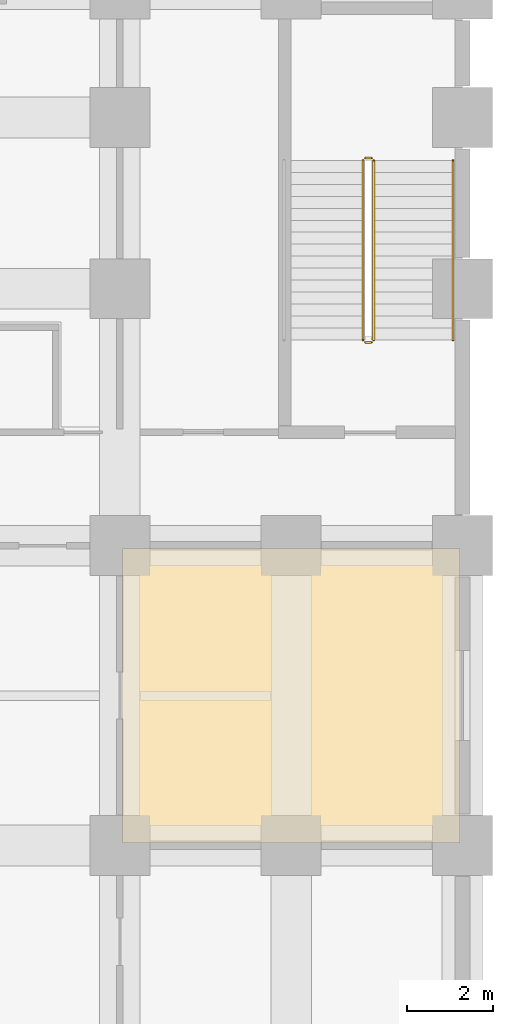
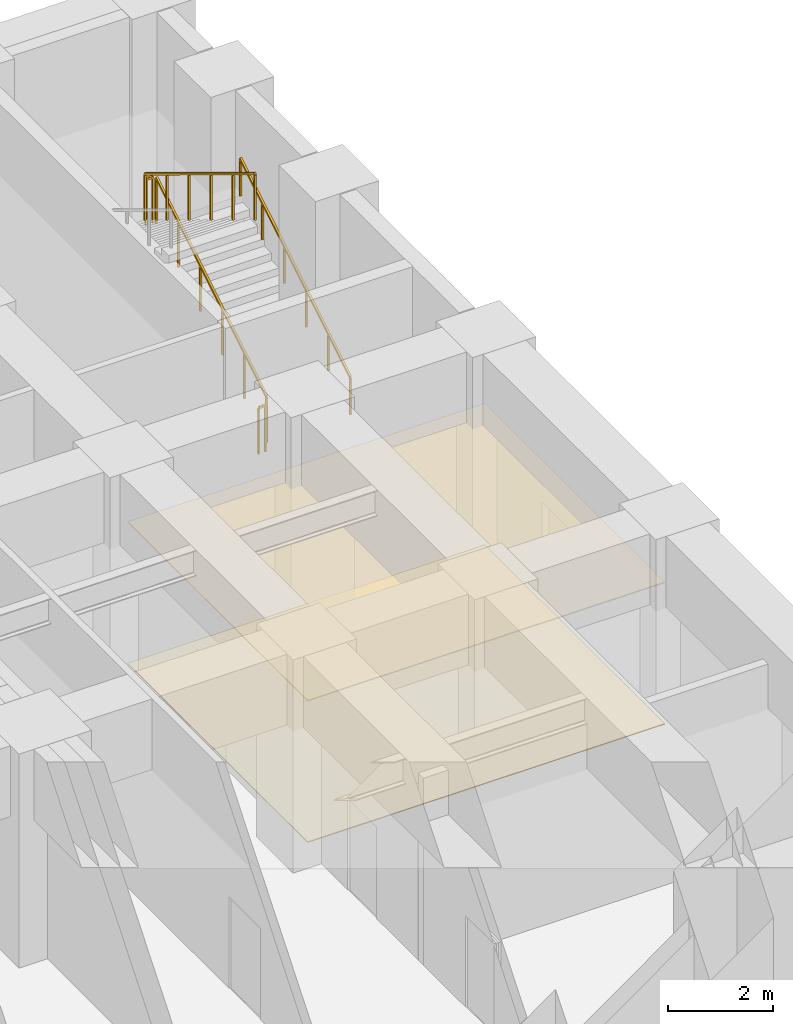
# One storey, part 24 of 24: 5 railings, 2 coverings.
"""IFC4 building model written with IfcOpenShell, lengths in metres."""

from ifc_helpers import new_model, si_unit, direction, frame, origin, origin_2d, place, context, subcontext, project, spatial, polyline, rectangle, outline, extrude, material, layer, layer_set, type_object, element, save


model = new_model("IFC4")

# Units and contexts
model_context = context("Model", 3, precision=1e-05, world=origin(), true_north=direction((0.0, 1.0)))
body_context = subcontext(model_context, "Body", "Model", "MODEL_VIEW")
ifc_project = project(units=[si_unit("LENGTHUNIT", "METRE"), si_unit("AREAUNIT", "SQUARE_METRE"), si_unit("VOLUMEUNIT", "CUBIC_METRE"), si_unit("PLANEANGLEUNIT", "RADIAN"), si_unit("MASSUNIT", "GRAM", prefix="KILO")], contexts=[model_context])

# Site, building, storey
site_placement = place(None, origin())
site = spatial("IfcSite", under=ifc_project, at=site_placement, CompositionType="ELEMENT")
building_placement = place(site_placement, origin())
building = spatial("IfcBuilding", under=site, at=building_placement, Name="Zulmaris Gate Convention Tower", CompositionType="ELEMENT")
storey_placement = place(building_placement, frame((0.0, 0.0, 16.320068359375)))
storey = spatial("IfcBuildingStorey", under=building, at=storey_placement, Name="L03", CompositionType="ELEMENT", Elevation=16.320068359375)

# Coverings
ifc_material_1 = material(Name="Mineral Fibre Acoustic Ceiling Tile")
ifc_layer_1 = layer(ifc_material_1, 0.02001953125, Name="Mineral Fibre Acoustic Ceiling Tile")
ifc_layer_set_1 = layer_set([ifc_layer_1], Name="Mineral Fibre Acoustic Ceiling Tile")
covering_type_1 = type_object("IfcCoveringType", Name="CLG-ACOUSTIC-600", PredefinedType="CEILING", material=ifc_layer_set_1)
covering_1_placement = place(storey_placement, frame((0.0, 0.0, 3.300048828125)))
element("IfcCovering", 1, at=covering_1_placement, inside=storey, type_object=covering_type_1, Name="CLG-L03-R80", PredefinedType="CEILING", context=body_context, shape_type="SweptSolid", body=[
    extrude(outline(polyline([(26.06005859375, 9.06005859375), (33.93994140625, 9.06005859375), (33.93994140625, 15.93994140625), (26.06005859375, 15.93994140625), (26.06005859375, 9.06005859375)])), origin(), (0.0, 0.0, 1.0), 0.019775390625),
])
ifc_material_2 = material(Name="Engineered Teak Parquet Flooring")
ifc_layer_2 = layer(ifc_material_2, 0.02001953125, Name="Engineered Teak Parquet Flooring")
ifc_layer_set_2 = layer_set([ifc_layer_2], Name="Engineered Teak Parquet Flooring")
covering_type_2 = type_object("IfcCoveringType", Name="FLR-TIMBER-18", PredefinedType="FLOORING", material=ifc_layer_set_2)
covering_2_placement = place(storey_placement, origin())
element("IfcCovering", 2, at=covering_2_placement, inside=storey, type_object=covering_type_2, Name="FLR-L03-R80", PredefinedType="FLOORING", context=body_context, shape_type="SweptSolid", body=[
    extrude(outline(polyline([(26.06005859375, 9.06005859375), (33.93994140625, 9.06005859375), (33.93994140625, 15.93994140625), (26.06005859375, 15.93994140625), (26.06005859375, 9.06005859375)])), origin(), (0.0, 0.0, 1.0), 0.02001953125),
])

# Railings
ifc_material_3 = material(Name="Painted Galvanised Steel", Category="steel")
railing_type_1 = type_object("IfcRailingType", Name="RL-STG-1150", PredefinedType="GUARDRAIL", material=ifc_material_3)
railing_1_placement = place(storey_placement, frame((31.929931640625, 20.800048828125, 0.169921875)))
element("IfcRailing", 3, at=railing_1_placement, inside=storey, type_object=railing_type_1, Name="L03 ST-5 stair guard 1", PredefinedType="GUARDRAIL", context=body_context, shape_type="SweptSolid", body=[
    extrude(rectangle(XDim=0.048095703125, YDim=0.048095703125, at=origin_2d()), frame((0.0, 0.0, 1.076171875), z_axis=(0.0, 0.854780430106, 0.518989803665), x_axis=(-1.0, 0.0, 0.0)), (0.0, 0.0, 1.0), 4.91357421875),
    extrude(rectangle(XDim=0.0419921875, YDim=0.0419921875, at=origin_2d()), origin(), (0.0, 0.0, 1.0), 1.052001953125),
    extrude(rectangle(XDim=0.0419921875, YDim=0.0419921875, at=origin_2d()), frame((0.0, 0.840087890625, 0.510009765625)), (0.0, 0.0, 1.0), 1.052001953125),
    extrude(rectangle(XDim=0.0419921875, YDim=0.0419921875, at=origin_2d()), frame((0.0, 1.679931640625, 1.02001953125)), (0.0, 0.0, 1.0), 1.052001953125),
    extrude(rectangle(XDim=0.0419921875, YDim=0.0419921875, at=origin_2d()), frame((0.0, 2.52001953125, 1.530029296875)), (0.0, 0.0, 1.0), 1.052001953125),
    extrude(rectangle(XDim=0.0419921875, YDim=0.0419921875, at=origin_2d()), frame((0.0, 3.35986328125, 2.0400390625)), (0.0, 0.0, 1.0), 1.052001953125),
    extrude(rectangle(XDim=0.0419921875, YDim=0.0419921875, at=origin_2d()), frame((0.0, 4.199951171875, 2.550048828125)), (0.0, 0.0, 1.0), 1.052001953125),
])
railing_2_placement = place(storey_placement, frame((31.8798828125, 25.050048828125, 2.719970703125)))
element("IfcRailing", 4, at=railing_2_placement, inside=storey, type_object=railing_type_1, Name="L03 ST-5 stair guard 2", PredefinedType="GUARDRAIL", context=body_context, shape_type="SweptSolid", body=[
    extrude(rectangle(XDim=0.048095703125, YDim=0.048095703125, at=origin_2d()), frame((0.0, 0.0, 1.076171875), z_axis=(-1.0, 0.0, 0.0), x_axis=(0.0, -1.0, 0.0)), (0.0, 0.0, 1.0), 0.14990234375),
    extrude(rectangle(XDim=0.0419921875, YDim=0.0419921875, at=origin_2d()), origin(), (0.0, 0.0, 1.0), 1.052001953125),
    extrude(rectangle(XDim=0.0419921875, YDim=0.0419921875, at=origin_2d()), frame((-0.14990234375, 0.0, 0.0)), (0.0, 0.0, 1.0), 1.052001953125),
])
railing_3_placement = place(storey_placement, frame((31.679931640625, 25.0, 2.889892578125)))
element("IfcRailing", 5, at=railing_3_placement, inside=storey, type_object=railing_type_1, Name="L03 ST-5 stair guard 3", PredefinedType="GUARDRAIL", context=body_context, shape_type="SweptSolid", body=[
    extrude(rectangle(XDim=0.048095703125, YDim=0.048095703125, at=origin_2d()), frame((0.0, 0.0, 1.076171875), z_axis=(0.0, -0.854780430106, 0.518989803665), x_axis=(1.0, 0.0, 0.0)), (0.0, 0.0, 1.0), 4.91357421875),
    extrude(rectangle(XDim=0.0419921875, YDim=0.0419921875, at=origin_2d()), origin(), (0.0, 0.0, 1.0), 1.052001953125),
    extrude(rectangle(XDim=0.0419921875, YDim=0.0419921875, at=origin_2d()), frame((0.0, -0.840087890625, 0.510009765625)), (0.0, 0.0, 1.0), 1.052001953125),
    extrude(rectangle(XDim=0.0419921875, YDim=0.0419921875, at=origin_2d()), frame((0.0, -1.679931640625, 1.02001953125)), (0.0, 0.0, 1.0), 1.052001953125),
    extrude(rectangle(XDim=0.0419921875, YDim=0.0419921875, at=origin_2d()), frame((0.0, -2.52001953125, 1.530029296875)), (0.0, 0.0, 1.0), 1.052001953125),
    extrude(rectangle(XDim=0.0419921875, YDim=0.0419921875, at=origin_2d()), frame((0.0, -3.35986328125, 2.0400390625)), (0.0, 0.0, 1.0), 1.052001953125),
    extrude(rectangle(XDim=0.0419921875, YDim=0.0419921875, at=origin_2d()), frame((0.0, -4.199951171875, 2.550048828125)), (0.0, 0.0, 1.0), 1.052001953125),
])
railing_4_placement = place(storey_placement, frame((31.8798828125, 20.75, 0.0)))
element("IfcRailing", 6, at=railing_4_placement, inside=storey, type_object=railing_type_1, Name="L03 ST-5 stair guard 4", PredefinedType="GUARDRAIL", context=body_context, shape_type="SweptSolid", body=[
    extrude(rectangle(XDim=0.048095703125, YDim=0.048095703125, at=origin_2d()), frame((0.0, 0.0, 1.076171875), z_axis=(-1.0, 0.0, 0.0), x_axis=(0.0, -1.0, 0.0)), (0.0, 0.0, 1.0), 0.14990234375),
    extrude(rectangle(XDim=0.0419921875, YDim=0.0419921875, at=origin_2d()), origin(), (0.0, 0.0, 1.0), 1.052001953125),
    extrude(rectangle(XDim=0.0419921875, YDim=0.0419921875, at=origin_2d()), frame((-0.14990234375, 0.0, 0.0)), (0.0, 0.0, 1.0), 1.052001953125),
])
ifc_material_4 = material(Name="Brushed Stainless Steel", Category="steel")
railing_type_2 = type_object("IfcRailingType", Name="RL-STH-900", PredefinedType="HANDRAIL", material=ifc_material_4)
railing_5_placement = place(storey_placement, frame((33.780029296875, 20.800048828125, 0.169921875)))
element("IfcRailing", 7, at=railing_5_placement, inside=storey, type_object=railing_type_2, Name="L03 ST-5 stair handrail 1", PredefinedType="HANDRAIL", context=body_context, shape_type="SweptSolid", body=[
    extrude(rectangle(XDim=0.048095703125, YDim=0.048095703125, at=origin_2d()), frame((0.0, 0.0, 0.8759765625), z_axis=(0.0, 0.854780430106, 0.518989803665), x_axis=(-1.0, 0.0, 0.0)), (0.0, 0.0, 1.0), 4.91357421875),
    extrude(rectangle(XDim=0.0419921875, YDim=0.0419921875, at=origin_2d()), origin(), (0.0, 0.0, 1.0), 0.851806640625),
    extrude(rectangle(XDim=0.0419921875, YDim=0.0419921875, at=origin_2d()), frame((0.0, 0.840087890625, 0.510009765625)), (0.0, 0.0, 1.0), 0.851806640625),
    extrude(rectangle(XDim=0.0419921875, YDim=0.0419921875, at=origin_2d()), frame((0.0, 1.679931640625, 1.02001953125)), (0.0, 0.0, 1.0), 0.851806640625),
    extrude(rectangle(XDim=0.0419921875, YDim=0.0419921875, at=origin_2d()), frame((0.0, 2.52001953125, 1.530029296875)), (0.0, 0.0, 1.0), 0.851806640625),
    extrude(rectangle(XDim=0.0419921875, YDim=0.0419921875, at=origin_2d()), frame((0.0, 3.35986328125, 2.0400390625)), (0.0, 0.0, 1.0), 0.851806640625),
    extrude(rectangle(XDim=0.0419921875, YDim=0.0419921875, at=origin_2d()), frame((0.0, 4.199951171875, 2.550048828125)), (0.0, 0.0, 1.0), 0.851806640625),
])

save(model, "model.ifc")
